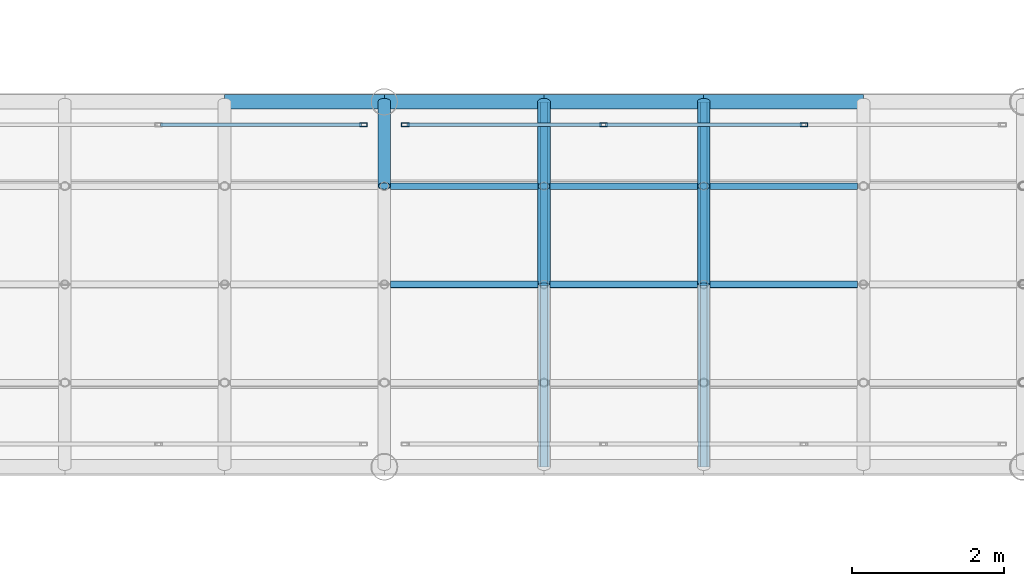
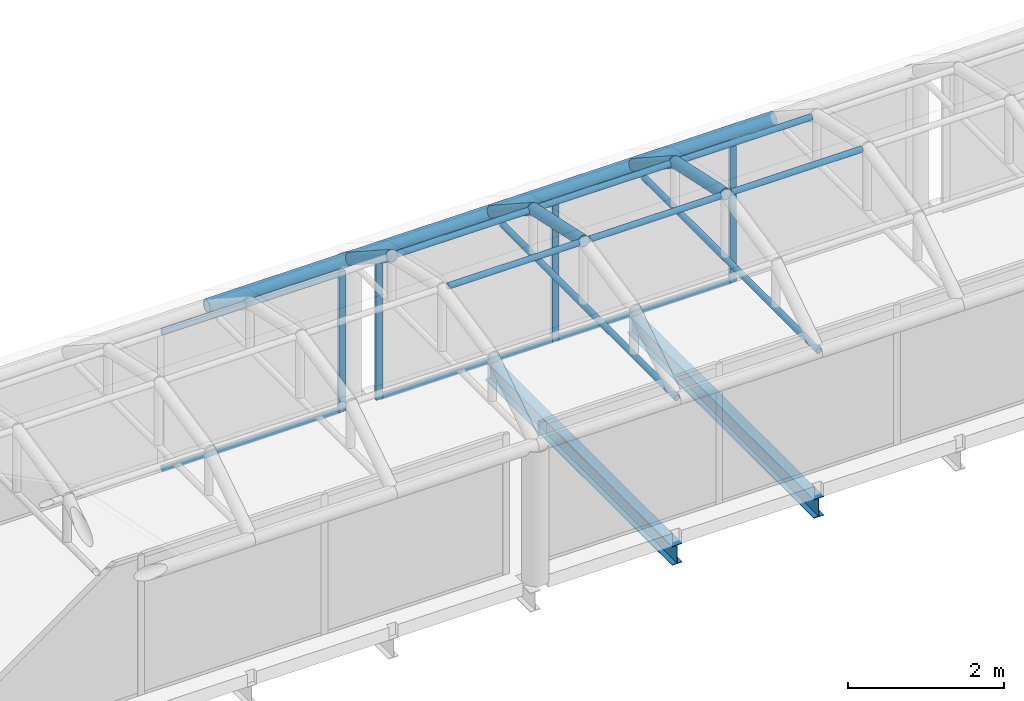
# One storey, part 95 of 167: 25 members, 4 beams, 2 elements without a shape of their own.
"""IFC4 building model written with IfcOpenShell, lengths in metres."""

import ifcopenshell
import ifcopenshell.guid

model = None  # the IFC model being written
_history = None  # IfcOwnerHistory: only IFC2X3 demands one
_inside = {}  # id of a spatial element -> (the spatial element, [elements in it])
_under = {}  # id of a project, library or spatial element -> (it, [spatial elements below it])
_declared = {}  # id of a project -> (the project, [libraries it declares])
_typed = {}  # id of a type object -> (the type object, [elements of that type])
_made_of = {}  # id of a material, layer set ... -> (it, [elements and type objects made of it])


def new_model(schema):
    """Start an empty IFC model of exactly this schema.

    Asked for "IFC4X3", IfcOpenShell would pick the latest addendum, in which some entities
    have other attributes; the version numbers below select the first issue.
    IFC2X3 requires an IfcOwnerHistory on every rooted entity: one is made here for all.
    """
    global model, _history
    if schema == "IFC4X3":
        model = ifcopenshell.file(schema_version=(4, 3, 0, 0))
    else:
        model = ifcopenshell.file(schema=schema)
    _inside.clear()
    _under.clear()
    _declared.clear()
    _typed.clear()
    _made_of.clear()
    _history = None
    if model.schema == "IFC2X3":
        org = make("IfcOrganization", Name="unknown")
        user = make(
            "IfcPersonAndOrganization",
            ThePerson=make("IfcPerson", FamilyName="unknown"),
            TheOrganization=org,
        )
        app = make(
            "IfcApplication",
            ApplicationDeveloper=org,
            Version="unknown",
            ApplicationFullName="unknown",
            ApplicationIdentifier="unknown",
        )
        _history = make(
            "IfcOwnerHistory",
            OwningUser=user,
            OwningApplication=app,
            ChangeAction="ADDED",
            CreationDate=0,
        )
    return model


def make(cls, **values):
    """One entity of the class cls with the attributes given. An attribute that is None is left unset."""
    return model.create_entity(
        cls, **{name: value for name, value in values.items() if value is not None}
    )


def rooted(cls, **values):
    """An entity with a GlobalId (a new one), such as an element, a storey or a relation."""
    return make(cls, GlobalId=ifcopenshell.guid.new(), OwnerHistory=_history, **values)


def si_unit(unit_type, name, prefix=None):
    """IfcSIUnit, for example si_unit("LENGTHUNIT", "METRE", prefix="MILLI")."""
    return make("IfcSIUnit", UnitType=unit_type, Prefix=prefix, Name=name)


def assignment(units):
    """IfcUnitAssignment: the units of a project."""
    return None if units is None else make("IfcUnitAssignment", Units=units)


def point(xyz):
    """IfcCartesianPoint."""
    return None if xyz is None else make("IfcCartesianPoint", Coordinates=xyz)


def direction(xyz):
    """IfcDirection."""
    return None if xyz is None else make("IfcDirection", DirectionRatios=xyz)


def frame(location, z_axis=None, x_axis=None):
    """IfcAxis2Placement3D, a coordinate frame: its origin and axes. An axis left out is left unset."""
    return make(
        "IfcAxis2Placement3D",
        Location=point(location),
        Axis=direction(z_axis),
        RefDirection=direction(x_axis),
    )


def frame_2d(location, x_axis=None):
    """IfcAxis2Placement2D, a coordinate frame in the plane: its origin and x axis."""
    return make(
        "IfcAxis2Placement2D", Location=point(location), RefDirection=direction(x_axis)
    )


def origin():
    """The frame at (0, 0, 0) with its axes left unset."""
    return frame((0.0, 0.0, 0.0))


def origin_2d():
    """The frame at (0, 0) in the plane with its x axis left unset."""
    return frame_2d((0.0, 0.0))


def place(relative_to, where):
    """IfcLocalPlacement: puts the frame where relative to a parent placement (None: the world)."""
    return make(
        "IfcLocalPlacement", PlacementRelTo=relative_to, RelativePlacement=where
    )


def context(
    kind, dimensions, precision=None, world=None, true_north=None, identifier=None
):
    """IfcGeometricRepresentationContext, for example the 3D "Model" context."""
    return make(
        "IfcGeometricRepresentationContext",
        ContextIdentifier=identifier,
        ContextType=kind,
        CoordinateSpaceDimension=dimensions,
        Precision=precision,
        WorldCoordinateSystem=world,
        TrueNorth=true_north,
    )


def subcontext(parent, identifier, kind, view, scale=None):
    """IfcGeometricRepresentationSubContext, for example "Body" below "Model"."""
    return make(
        "IfcGeometricRepresentationSubContext",
        ContextIdentifier=identifier,
        ContextType=kind,
        ParentContext=parent,
        TargetScale=scale,
        TargetView=view,
    )


def project(units=None, contexts=None):
    """IfcProject with its units and contexts."""
    return rooted(
        "IfcProject",
        Name="project",
        RepresentationContexts=contexts,
        UnitsInContext=assignment(units),
    )


def spatial(cls, under=None, at=None, **own):
    """A site, building, storey or space (cls), placed at a placement, below another one or the project."""
    s = rooted(cls, ObjectPlacement=at, **own)
    if under is not None:
        _under.setdefault(under.id(), (under, []))[1].append(s)
    return s


def profile(cls, at=None, kind="AREA", **sizes):
    """A parametric profile (cls). Its sizes go by their IFC names, for example OverallWidth=200.0."""
    return make(cls, ProfileType=kind, Position=at, **sizes)


def hollow_rectangle(**sizes):
    """IfcRectangleHollowProfileDef."""
    return profile("IfcRectangleHollowProfileDef", **sizes)


def hollow_circle(**sizes):
    """IfcCircleHollowProfileDef."""
    return profile("IfcCircleHollowProfileDef", **sizes)


def i_section(**sizes):
    """IfcIShapeProfileDef."""
    return profile("IfcIShapeProfileDef", **sizes)


def extrude(swept, where, along, depth):
    """IfcExtrudedAreaSolid: the profile swept, set in the frame where, extruded along a direction by depth."""
    return make(
        "IfcExtrudedAreaSolid",
        SweptArea=swept,
        Position=where,
        ExtrudedDirection=direction(along),
        Depth=depth,
    )


def shape(context_of_items, identifier, shape_type, items):
    """IfcShapeRepresentation: the items that make up one representation, for example the "Body"."""
    return make(
        "IfcShapeRepresentation",
        ContextOfItems=context_of_items,
        RepresentationIdentifier=identifier,
        RepresentationType=shape_type,
        Items=items,
    )


def material(Name=None, Category=None):
    """IfcMaterial."""
    return make("IfcMaterial", Name=Name, Category=Category)


def material_profile(
    of_material, cross_section, Name=None, Category=None, Priority=None
):
    """IfcMaterialProfile: a cross section and its material."""
    return make(
        "IfcMaterialProfile",
        Name=Name,
        Material=of_material,
        Profile=cross_section,
        Priority=Priority,
        Category=Category,
    )


def profile_set(profiles, Name=None, composite=None):
    """IfcMaterialProfileSet."""
    return make(
        "IfcMaterialProfileSet",
        Name=Name,
        MaterialProfiles=profiles,
        CompositeProfile=composite,
    )


def made_of(thing, what):
    """Note that an element or type object is made of a material, layer set ...; save() writes the relation."""
    if what is not None:
        _made_of.setdefault(what.id(), (what, []))[1].append(thing)
    return thing


def type_object(cls, material=None, **own):
    """A type object (cls), such as IfcWallType, which elements share."""
    return made_of(rooted(cls, **own), material)


def element(
    cls,
    number,
    at=None,
    inside=None,
    cuts=None,
    type_object=None,
    material=None,
    context=None,
    identifier="Body",
    shape_type=None,
    held_by="IfcProductDefinitionShape",
    body=None,
    shapes=None,
    **own,
):
    """One element of the class cls, such as IfcWall. Its Tag is "e" and its number.

    at: its placement. inside: the storey or other place that contains it. cuts: it is an
    opening in that element (IfcRelVoidsElement). A single representation is given by context,
    identifier, shape_type and body (its items); several are given by shapes. held_by: the class
    of the entity that holds the representations. save() writes the other relations.
    """
    e = rooted(cls, Tag="e%d" % number, ObjectPlacement=at, **own)
    if body is not None:
        shapes = [shape(context, identifier, shape_type, body)]
    if shapes is not None:
        e.Representation = make(held_by, Representations=shapes)
    if inside is not None:
        _inside.setdefault(inside.id(), (inside, []))[1].append(e)
    if cuts is not None:
        rooted(
            "IfcRelVoidsElement", RelatingBuildingElement=cuts, RelatedOpeningElement=e
        )
    if type_object is not None:
        _typed.setdefault(type_object.id(), (type_object, []))[1].append(e)
    return made_of(e, material)


def aggregate(whole, parts):
    """IfcRelAggregates: a whole, such as a stair, and the parts it consists of."""
    return rooted("IfcRelAggregates", RelatingObject=whole, RelatedObjects=parts)


def save(model, path):
    """Write the relations noted so far, then the file.

    IfcRelAggregates (storeys below a building ...), IfcRelContainedInSpatialStructure (elements
    in a storey), IfcRelDefinesByType, IfcRelAssociatesMaterial and IfcRelDeclares: one each for
    every whole, place, type object, material and project.
    """
    for whole, parts in _under.values():
        aggregate(whole, parts)
    for where, things in _inside.values():
        rooted(
            "IfcRelContainedInSpatialStructure",
            RelatedElements=things,
            RelatingStructure=where,
        )
    for kind, things in _typed.values():
        rooted("IfcRelDefinesByType", RelatedObjects=things, RelatingType=kind)
    for what, things in _made_of.values():
        rooted("IfcRelAssociatesMaterial", RelatedObjects=things, RelatingMaterial=what)
    for by, libraries in _declared.values():
        rooted("IfcRelDeclares", RelatingContext=by, RelatedDefinitions=libraries)
    model.write(path)


model = new_model("IFC4")

# Units and contexts
model_context = context("Model", 3, precision=1e-05, world=origin(), true_north=direction((0.0, 1.0)))
body_context = subcontext(model_context, "Body", "Model", "MODEL_VIEW")
ifc_project = project(units=[si_unit("LENGTHUNIT", "METRE"), si_unit("AREAUNIT", "SQUARE_METRE"), si_unit("VOLUMEUNIT", "CUBIC_METRE"), si_unit("PLANEANGLEUNIT", "RADIAN"), si_unit("MASSUNIT", "GRAM", prefix="KILO")], contexts=[model_context])

# Site, building, storey
site_placement = place(None, origin())
site = spatial("IfcSite", under=ifc_project, at=site_placement, CompositionType="ELEMENT")
building_placement = place(site_placement, origin())
building = spatial("IfcBuilding", under=site, at=building_placement, Name="Catenary Quay Ferry Terminal", CompositionType="ELEMENT")
storey_placement = place(building_placement, frame((0.0, 0.0, 6.0)))
storey = spatial("IfcBuildingStorey", under=building, at=storey_placement, Name="L01", CompositionType="ELEMENT", Elevation=6.0)

# Beams
ifc_material_1 = material(Name="Steel S355", Category="steel")
ifc_material_profile_1 = material_profile(ifc_material_1, i_section(OverallWidth=0.14990234375, OverallDepth=0.300048828125, WebThickness=0.007080078125, FlangeThickness=0.0107421875, at=origin_2d()), Name="IPE 300")
ifc_profile_set_1 = profile_set([ifc_material_profile_1], Name="Steel S355")
beam_type_1 = type_object("IfcBeamType", Name="B2 IPE 300", PredefinedType="BEAM", material=ifc_profile_set_1)
for number, where, z_axis, x_axis, name in (
    (1, (102.89990234375, 90.0, -0.35009765625), (0.0, 1.0, 0.0), (-1.0, 0.0, 0.0), "Beam B2-020"),
    (2, (105.0, 90.0, -0.35009765625), (0.0, 1.0, 0.0), (-1.0, 0.0, 0.0), "Beam B2-021"),
):
    element("IfcBeam", number, at=place(storey_placement, frame(where, z_axis=z_axis, x_axis=x_axis)), inside=storey, type_object=beam_type_1, Name=name, PredefinedType="BEAM", context=body_context, shape_type="SweptSolid", body=[
        extrude(i_section(OverallWidth=0.14990234375, OverallDepth=0.300048828125, WebThickness=0.007080078125, FlangeThickness=0.0107421875, at=origin_2d()), origin(), (0.0, 0.0, 1.0), 4.800048828125),
    ])

# Curtain wall, member
ifc_material_2 = material(Name="Aluminium and glass", Category="aluminium")
curtain_wall_type = type_object("IfcCurtainWallType", Name="CWB", PredefinedType="NOTDEFINED", material=ifc_material_2)
curtain_wall_1_placement = place(storey_placement, origin())
curtain_wall_1 = element("IfcCurtainWall", 3, at=curtain_wall_1_placement, inside=storey, type_object=curtain_wall_type, Name="BB2 curtain wall CW68", PredefinedType="NOTDEFINED")
ifc_material_3 = material(Name="Aluminium", Category="aluminium")
ifc_material_profile_2 = material_profile(ifc_material_3, hollow_rectangle(XDim=0.050048828125, YDim=0.10009765625, WallThickness=0.0048828125, at=origin_2d()), Name="MU1")
ifc_profile_set_2 = profile_set([ifc_material_profile_2], Name="Aluminium")
member_type_1 = type_object("IfcMemberType", Name="MU1", PredefinedType="MULLION", material=ifc_profile_set_2)
member_1_placement = place(storey_placement, frame((100.52490234375, 94.5, 0.0), z_axis=(0.0, 0.0, 1.0), x_axis=(0.0, 1.0, 0.0)))
member_1 = element("IfcMember", 4, at=member_1_placement, type_object=member_type_1, Name="CW68 mullion 4", PredefinedType="MULLION", context=body_context, shape_type="SweptSolid", body=[
    extrude(hollow_rectangle(XDim=0.050048828125, YDim=0.10009765625, WallThickness=0.0048828125, at=origin_2d()), origin(), (0.0, 0.0, 1.0), 2.195068359375),
])

# Curtain wall, members
curtain_wall_2_placement = place(storey_placement, origin())
curtain_wall_2 = element("IfcCurtainWall", 5, at=curtain_wall_2_placement, inside=storey, type_object=curtain_wall_type, Name="BB2 curtain wall CW69", PredefinedType="NOTDEFINED")
member_2_placement = place(storey_placement, frame((101.074951171875, 94.5, 0.0), z_axis=(0.0, 0.0, 1.0), x_axis=(0.0, 1.0, 0.0)))
member_2 = element("IfcMember", 6, at=member_2_placement, type_object=member_type_1, Name="CW69 mullion 1", PredefinedType="MULLION", context=body_context, shape_type="SweptSolid", body=[
    extrude(hollow_rectangle(XDim=0.050048828125, YDim=0.10009765625, WallThickness=0.0048828125, at=origin_2d()), origin(), (0.0, 0.0, 1.0), 2.195068359375),
])
member_3_placement = place(storey_placement, frame((103.683349609375, 94.5, 0.0), z_axis=(0.0, 0.0, 1.0), x_axis=(0.0, 1.0, 0.0)))
member_3 = element("IfcMember", 7, at=member_3_placement, type_object=member_type_1, Name="CW69 mullion 2", PredefinedType="MULLION", context=body_context, shape_type="SweptSolid", body=[
    extrude(hollow_rectangle(XDim=0.050048828125, YDim=0.10009765625, WallThickness=0.0048828125, at=origin_2d()), origin(), (0.0, 0.0, 1.0), 2.195068359375),
])
member_4_placement = place(storey_placement, frame((106.316650390625, 94.5, 0.0), z_axis=(0.0, 0.0, 1.0), x_axis=(0.0, 1.0, 0.0)))
member_4 = element("IfcMember", 8, at=member_4_placement, type_object=member_type_1, Name="CW69 mullion 3", PredefinedType="MULLION", context=body_context, shape_type="SweptSolid", body=[
    extrude(hollow_rectangle(XDim=0.050048828125, YDim=0.10009765625, WallThickness=0.0048828125, at=origin_2d()), origin(), (0.0, 0.0, 1.0), 2.195068359375),
])

# Members
ifc_material_4 = material(Name="Steel S355", Category="steel")
ifc_material_profile_3 = material_profile(ifc_material_4, hollow_circle(Radius=0.04443359375, WallThickness=0.0048828125, at=origin_2d()), Name="CHS 88.9x5")
ifc_profile_set_3 = profile_set([ifc_material_profile_3], Name="Steel S355")
member_type_2 = type_object("IfcMemberType", Name="PU3 CHS 88.9x5", PredefinedType="PURLIN", material=ifc_profile_set_3)
for number, where, z_axis, x_axis, name in (
    (9, (100.8798828125, 92.39990234375, 3.10009765625), (1.0, 0.0, 0.0), (0.0, 1.0, 0.0), "Purlin PU-RB2-05-02"),
    (10, (100.8798828125, 93.69189453125, 2.821044921875), (1.0, 0.0, 0.0), (0.0, 1.0, 0.0), "Purlin PU-RB2-05-03"),
):
    element("IfcMember", number, at=place(storey_placement, frame(where, z_axis=z_axis, x_axis=x_axis)), inside=storey, type_object=member_type_2, Name=name, PredefinedType="PURLIN", context=body_context, shape_type="SweptSolid", body=[
        extrude(hollow_circle(Radius=0.04443359375, WallThickness=0.0048828125, at=origin_2d()), origin(), (0.0, 0.0, 1.0), 1.940185546875),
    ])
for number, where, z_axis, x_axis, name in (
    (11, (102.97998046875, 92.39990234375, 3.10009765625), (1.0, 0.0, 0.0), (0.0, 1.0, 0.0), "Purlin PU-RB2-06-02"),
    (12, (102.97998046875, 93.69189453125, 2.821044921875), (1.0, 0.0, 0.0), (0.0, 1.0, 0.0), "Purlin PU-RB2-06-03"),
    (13, (105.080078125, 92.39990234375, 3.10009765625), (1.0, 0.0, 0.0), (0.0, 1.0, 0.0), "Purlin PU-RB2-07-02"),
    (14, (105.080078125, 93.69189453125, 2.821044921875), (1.0, 0.0, 0.0), (0.0, 1.0, 0.0), "Purlin PU-RB2-07-03"),
):
    element("IfcMember", number, at=place(storey_placement, frame(where, z_axis=z_axis, x_axis=x_axis)), inside=storey, type_object=member_type_2, Name=name, PredefinedType="PURLIN", context=body_context, shape_type="SweptSolid", body=[
        extrude(hollow_circle(Radius=0.04443359375, WallThickness=0.0048828125, at=origin_2d()), origin(), (0.0, 0.0, 1.0), 1.93994140625),
    ])

# Beams
ifc_material_5 = material(Name="Steel S355", Category="steel")
ifc_material_profile_4 = material_profile(ifc_material_5, hollow_circle(Radius=0.04443359375, WallThickness=0.0048828125, at=origin_2d()), Name="CHS 88.9x5")
ifc_profile_set_4 = profile_set([ifc_material_profile_4], Name="Steel S355")
beam_type_2 = type_object("IfcBeamType", Name="TB4 CHS 88.9x5", PredefinedType="BEAM", material=ifc_profile_set_4)
for number, where, z_axis, x_axis, name in (
    (15, (102.89990234375, 90.0, 2.10009765625), (0.0, 1.0, 0.0), (-1.0, 0.0, 0.0), "tie beam RB2-06"),
    (16, (105.0, 90.0, 2.10009765625), (0.0, 1.0, 0.0), (-1.0, 0.0, 0.0), "tie beam RB2-07"),
):
    element("IfcBeam", number, at=place(storey_placement, frame(where, z_axis=z_axis, x_axis=x_axis)), inside=storey, type_object=beam_type_2, Name=name, PredefinedType="BEAM", context=body_context, shape_type="SweptSolid", body=[
        extrude(hollow_circle(Radius=0.04443359375, WallThickness=0.0048828125, at=origin_2d()), origin(), (0.0, 0.0, 1.0), 4.800048828125),
    ])

# Members
ifc_material_6 = material(Name="Steel S355", Category="steel")
ifc_material_profile_5 = material_profile(ifc_material_6, hollow_circle(Radius=0.096923828125, WallThickness=0.010009765625, at=origin_2d()), Name="CHS 193.7x10")
ifc_profile_set_5 = profile_set([ifc_material_profile_5], Name="Steel S355")
member_type_3 = type_object("IfcMemberType", Name="TC2 CHS 193.7x10", PredefinedType="CHORD", material=ifc_profile_set_5)
member_5_placement = place(storey_placement, frame((98.699951171875, 94.800048828125, 2.10009765625), z_axis=(1.0, 0.0, 0.0), x_axis=(0.0, 1.0, 0.0)))
element("IfcMember", 17, at=member_5_placement, inside=storey, type_object=member_type_3, Name="Bridge top chord BB2N-TC04", PredefinedType="CHORD", context=body_context, shape_type="SweptSolid", body=[
    extrude(hollow_circle(Radius=0.096923828125, WallThickness=0.010009765625, at=origin_2d()), origin(), (0.0, 0.0, 1.0), 2.10009765625),
])
member_6_placement = place(storey_placement, frame((100.800048828125, 94.800048828125, 2.10009765625), z_axis=(1.0, 0.0, 0.0), x_axis=(0.0, 1.0, 0.0)))
element("IfcMember", 18, at=member_6_placement, inside=storey, type_object=member_type_3, Name="Bridge top chord BB2N-TC05", PredefinedType="CHORD", context=body_context, shape_type="SweptSolid", body=[
    extrude(hollow_circle(Radius=0.096923828125, WallThickness=0.010009765625, at=origin_2d()), origin(), (0.0, 0.0, 1.0), 2.099853515625),
])
for number, where, z_axis, x_axis, name in (
    (19, (102.89990234375, 94.800048828125, 2.10009765625), (1.0, 0.0, 0.0), (0.0, 1.0, 0.0), "Bridge top chord BB2N-TC06"),
    (20, (105.0, 94.800048828125, 2.10009765625), (1.0, 0.0, 0.0), (0.0, 1.0, 0.0), "Bridge top chord BB2N-TC07"),
):
    element("IfcMember", number, at=place(storey_placement, frame(where, z_axis=z_axis, x_axis=x_axis)), inside=storey, type_object=member_type_3, Name=name, PredefinedType="CHORD", context=body_context, shape_type="SweptSolid", body=[
        extrude(hollow_circle(Radius=0.096923828125, WallThickness=0.010009765625, at=origin_2d()), origin(), (0.0, 0.0, 1.0), 2.10009765625),
    ])

# Member
ifc_material_7 = material(Name="Aluminium", Category="aluminium")
ifc_material_profile_6 = material_profile(ifc_material_7, hollow_rectangle(XDim=0.050048828125, YDim=0.080078125, WallThickness=0.00390625, at=origin_2d()), Name="TR1")
ifc_profile_set_6 = profile_set([ifc_material_profile_6], Name="Aluminium")
member_type_4 = type_object("IfcMemberType", Name="TR1", PredefinedType="USERDEFINED", material=ifc_profile_set_6)
member_7_placement = place(storey_placement, frame((97.8583984375, 94.5, 0.02490234375), z_axis=(1.0, 0.0, 0.0), x_axis=(0.0, 1.0, 0.0)))
member_7 = element("IfcMember", 21, at=member_7_placement, type_object=member_type_4, Name="CW68 transom 3.1", ObjectType="TRANSOM", PredefinedType="USERDEFINED", context=body_context, shape_type="SweptSolid", body=[
    extrude(hollow_rectangle(XDim=0.050048828125, YDim=0.080078125, WallThickness=0.00390625, at=origin_2d()), origin(), (0.0, 0.0, 1.0), 2.6416015625),
])

member_8_placement = place(storey_placement, frame((97.8583984375, 94.5, 2.169921875), z_axis=(1.0, 0.0, 0.0), x_axis=(0.0, 1.0, 0.0)))
member_8 = element("IfcMember", 22, at=member_8_placement, type_object=member_type_4, Name="CW68 transom 3.2", ObjectType="TRANSOM", PredefinedType="USERDEFINED", context=body_context, shape_type="SweptSolid", body=[
    extrude(hollow_rectangle(XDim=0.050048828125, YDim=0.080078125, WallThickness=0.00390625, at=origin_2d()), origin(), (0.0, 0.0, 1.0), 2.6416015625),
])

aggregate(curtain_wall_1, [member_1, member_7, member_8])

member_9_placement = place(storey_placement, frame((101.10009765625, 94.5, 0.02490234375), z_axis=(1.0, 0.0, 0.0), x_axis=(0.0, 1.0, 0.0)))
member_9 = element("IfcMember", 23, at=member_9_placement, type_object=member_type_4, Name="CW69 transom 1.1", ObjectType="TRANSOM", PredefinedType="USERDEFINED", context=body_context, shape_type="SweptSolid", body=[
    extrude(hollow_rectangle(XDim=0.050048828125, YDim=0.080078125, WallThickness=0.00390625, at=origin_2d()), origin(), (0.0, 0.0, 1.0), 2.558349609375),
])

member_10_placement = place(storey_placement, frame((101.10009765625, 94.5, 2.169921875), z_axis=(1.0, 0.0, 0.0), x_axis=(0.0, 1.0, 0.0)))
member_10 = element("IfcMember", 24, at=member_10_placement, type_object=member_type_4, Name="CW69 transom 1.2", ObjectType="TRANSOM", PredefinedType="USERDEFINED", context=body_context, shape_type="SweptSolid", body=[
    extrude(hollow_rectangle(XDim=0.050048828125, YDim=0.080078125, WallThickness=0.00390625, at=origin_2d()), origin(), (0.0, 0.0, 1.0), 2.558349609375),
])

member_11_placement = place(storey_placement, frame((103.708251953125, 94.5, 0.02490234375), z_axis=(1.0, 0.0, 0.0), x_axis=(0.0, 1.0, 0.0)))
member_11 = element("IfcMember", 25, at=member_11_placement, type_object=member_type_4, Name="CW69 transom 2.1", ObjectType="TRANSOM", PredefinedType="USERDEFINED", context=body_context, shape_type="SweptSolid", body=[
    extrude(hollow_rectangle(XDim=0.050048828125, YDim=0.080078125, WallThickness=0.00390625, at=origin_2d()), origin(), (0.0, 0.0, 1.0), 2.58349609375),
])

member_12_placement = place(storey_placement, frame((103.708251953125, 94.5, 2.169921875), z_axis=(1.0, 0.0, 0.0), x_axis=(0.0, 1.0, 0.0)))
member_12 = element("IfcMember", 26, at=member_12_placement, type_object=member_type_4, Name="CW69 transom 2.2", ObjectType="TRANSOM", PredefinedType="USERDEFINED", context=body_context, shape_type="SweptSolid", body=[
    extrude(hollow_rectangle(XDim=0.050048828125, YDim=0.080078125, WallThickness=0.00390625, at=origin_2d()), origin(), (0.0, 0.0, 1.0), 2.58349609375),
])

aggregate(curtain_wall_2, [member_2, member_3, member_4, member_9, member_10, member_11, member_12])

# Members
ifc_material_8 = material(Name="Steel S355", Category="steel")
ifc_material_profile_7 = material_profile(ifc_material_8, hollow_circle(Radius=0.084228515625, WallThickness=0.008056640625, at=origin_2d()), Name="CHS 168.3x8")
ifc_profile_set_7 = profile_set([ifc_material_profile_7], Name="Steel S355")
member_type_5 = type_object("IfcMemberType", Name="VR4 CHS 168.3x8", PredefinedType="RAFTER", material=ifc_profile_set_7)
member_13_placement = place(storey_placement, frame((100.800048828125, 93.69189453125, 2.821044921875), z_axis=(0.0, 0.838219928753, -0.545332330823), x_axis=(-1.0, 0.0, 0.0)))
element("IfcMember", 27, at=member_13_placement, inside=storey, type_object=member_type_5, Name="rib RB2-05-04", PredefinedType="RAFTER", context=body_context, shape_type="SweptSolid", body=[
    extrude(hollow_circle(Radius=0.084228515625, WallThickness=0.008056640625, at=origin_2d()), origin(), (0.0, 0.0, 1.0), 1.322021484375),
])
member_14_placement = place(storey_placement, frame((102.89990234375, 92.39990234375, 3.10009765625), z_axis=(0.0, 0.977460543774, -0.211118178672), x_axis=(-1.0, 0.0, 0.0)))
element("IfcMember", 28, at=member_14_placement, inside=storey, type_object=member_type_5, Name="rib RB2-06-03", PredefinedType="RAFTER", context=body_context, shape_type="SweptSolid", body=[
    extrude(hollow_circle(Radius=0.084228515625, WallThickness=0.008056640625, at=origin_2d()), origin(), (0.0, 0.0, 1.0), 1.32177734375),
])
member_15_placement = place(storey_placement, frame((102.89990234375, 93.69189453125, 2.821044921875), z_axis=(0.0, 0.838219928753, -0.545332330823), x_axis=(-1.0, 0.0, 0.0)))
element("IfcMember", 29, at=member_15_placement, inside=storey, type_object=member_type_5, Name="rib RB2-06-04", PredefinedType="RAFTER", context=body_context, shape_type="SweptSolid", body=[
    extrude(hollow_circle(Radius=0.084228515625, WallThickness=0.008056640625, at=origin_2d()), origin(), (0.0, 0.0, 1.0), 1.322021484375),
])
member_16_placement = place(storey_placement, frame((105.0, 92.39990234375, 3.10009765625), z_axis=(0.0, 0.977460543774, -0.211118178672), x_axis=(-1.0, 0.0, 0.0)))
element("IfcMember", 30, at=member_16_placement, inside=storey, type_object=member_type_5, Name="rib RB2-07-03", PredefinedType="RAFTER", context=body_context, shape_type="SweptSolid", body=[
    extrude(hollow_circle(Radius=0.084228515625, WallThickness=0.008056640625, at=origin_2d()), origin(), (0.0, 0.0, 1.0), 1.32177734375),
])
member_17_placement = place(storey_placement, frame((105.0, 93.69189453125, 2.821044921875), z_axis=(0.0, 0.838219928753, -0.545332330823), x_axis=(-1.0, 0.0, 0.0)))
element("IfcMember", 31, at=member_17_placement, inside=storey, type_object=member_type_5, Name="rib RB2-07-04", PredefinedType="RAFTER", context=body_context, shape_type="SweptSolid", body=[
    extrude(hollow_circle(Radius=0.084228515625, WallThickness=0.008056640625, at=origin_2d()), origin(), (0.0, 0.0, 1.0), 1.322021484375),
])

save(model, "model.ifc")
